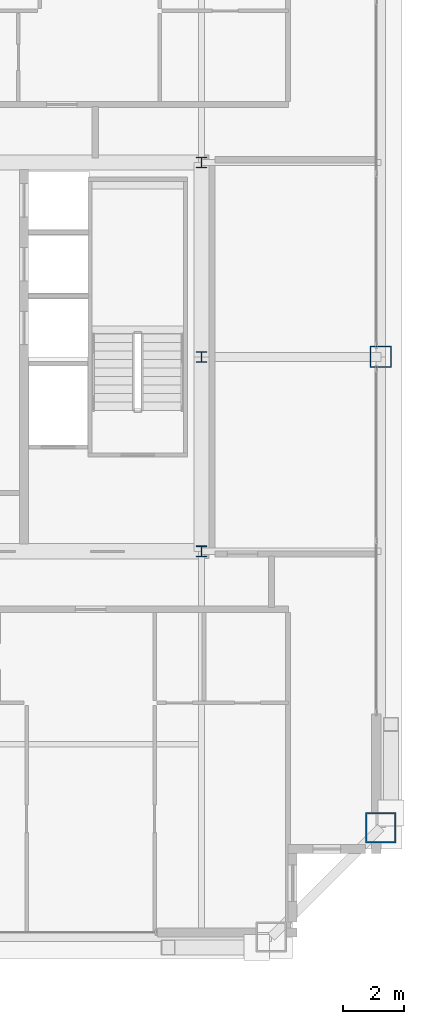
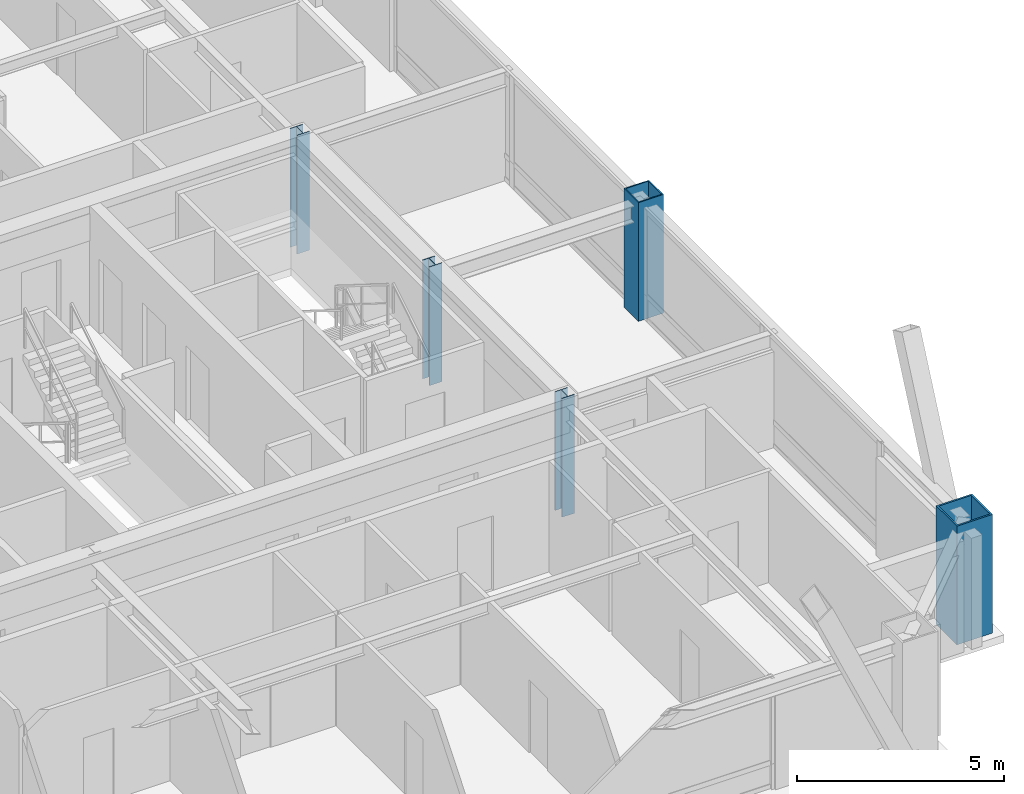
# One storey, part 2 of 35: 5 columns.
"""IFC4 building model written with IfcOpenShell, lengths in metres."""

from ifc_helpers import new_model, si_unit, direction, frame, origin, origin_2d, place, context, subcontext, project, spatial, hollow_rectangle, i_section, extrude, source, transform, mapped, material, material_profile, profile_set, type_object, element, save


model = new_model("IFC4")

# Units and contexts
model_context = context("Model", 3, precision=1e-05, world=origin(), true_north=direction((0.0, 1.0)))
body_context = subcontext(model_context, "Body", "Model", "MODEL_VIEW")
ifc_project = project(units=[si_unit("LENGTHUNIT", "METRE"), si_unit("AREAUNIT", "SQUARE_METRE"), si_unit("VOLUMEUNIT", "CUBIC_METRE"), si_unit("PLANEANGLEUNIT", "RADIAN"), si_unit("MASSUNIT", "GRAM", prefix="KILO"), si_unit("THERMODYNAMICTEMPERATUREUNIT", "KELVIN"), si_unit("POWERUNIT", "WATT")], contexts=[model_context])

# Site, building, storey
site_placement = place(None, origin())
site = spatial("IfcSite", under=ifc_project, at=site_placement, CompositionType="ELEMENT")
building_placement = place(site_placement, origin())
building = spatial("IfcBuilding", under=site, at=building_placement, Name="Yuzanri Waterfront Tower", CompositionType="ELEMENT")
storey_placement = place(building_placement, frame((0.0, 0.0, 299.60009765625)))
storey = spatial("IfcBuildingStorey", under=building, at=storey_placement, Name="L80", CompositionType="ELEMENT", Elevation=299.60009765625)

# Columns
ifc_material_1 = material(Name="Steel Q355B", Category="steel")
ifc_material_profile_1 = material_profile(ifc_material_1, hollow_rectangle(XDim=0.699951171875, YDim=0.699951171875, WallThickness=0.031982421875, at=origin_2d()), Name="RHS 700x700x32")
ifc_profile_set_1 = profile_set([ifc_material_profile_1], Name="Steel Q355B")
column_type_1 = type_object("IfcColumnType", Name="Frame Column Q355B RHS 700x700x32", PredefinedType="COLUMN", material=ifc_profile_set_1)
shared_shape_1 = source(origin(), body_context, "Body", "SweptSolid", [
    extrude(hollow_rectangle(XDim=0.699951171875, YDim=0.699951171875, WallThickness=0.031982421875, at=origin_2d()), origin(), (0.0, 0.0, 1.0), 3.5),
])
column_1_placement = place(storey_placement, frame((56.10009765625, 25.800048828125, 0.0), z_axis=(0.0, 0.0, 1.0), x_axis=(1.0, 0.0, 0.0)))
element("IfcColumn", 1, at=column_1_placement, inside=storey, type_object=column_type_1, Name="L80 Perimeter Frame Column E2", PredefinedType="COLUMN", context=body_context, shape_type="MappedRepresentation", body=[
    mapped(shared_shape_1, transform((0.0, 0.0, 0.0), scale=1.0)),
])
ifc_material_2 = material(Name="Steel Q355B", Category="steel")
ifc_material_profile_2 = material_profile(ifc_material_2, i_section(OverallWidth=0.35009765625, OverallDepth=0.35009765625, WebThickness=0.011962890625, FlangeThickness=0.01904296875, at=origin_2d()), Name="HW 350x350x12x19")
ifc_profile_set_2 = profile_set([ifc_material_profile_2], Name="Steel Q355B")
column_type_2 = type_object("IfcColumnType", Name="Core Post Q355B HW 350x350x12x19", PredefinedType="COLUMN", material=ifc_profile_set_2)
shared_shape_2 = source(origin(), body_context, "Body", "SweptSolid", [
    extrude(i_section(OverallWidth=0.35009765625, OverallDepth=0.35009765625, WebThickness=0.011962890625, FlangeThickness=0.01904296875, at=origin_2d()), origin(), (0.0, 0.0, 1.0), 3.5),
])
for number, where, z_axis, x_axis, name in (
    (2, (50.199951171875, 19.39990234375, 0.0), (0.0, 0.0, 1.0), (1.0, 0.0, 0.0), "L80 Core Boundary Column CP3"),
    (3, (50.199951171875, 25.800048828125, 0.0), (0.0, 0.0, 1.0), (1.0, 0.0, 0.0), "L80 Core Boundary Column CP5"),
    (4, (50.199951171875, 32.199951171875, 0.0), (0.0, 0.0, 1.0), (1.0, 0.0, 0.0), "L80 Core Boundary Column CP8"),
):
    element("IfcColumn", number, at=place(storey_placement, frame(where, z_axis=z_axis, x_axis=x_axis)), inside=storey, type_object=column_type_2, Name=name, PredefinedType="COLUMN", context=body_context, shape_type="MappedRepresentation", body=[
        mapped(shared_shape_2, transform((0.0, 0.0, 0.0), scale=1.0)),
    ])
ifc_material_3 = material(Name="Steel Q390GJC", Category="steel")
ifc_material_profile_3 = material_profile(ifc_material_3, hollow_rectangle(XDim=1.0, YDim=1.0, WallThickness=0.048095703125, at=origin_2d()), Name="RHS 1000x1000x48")
ifc_profile_set_3 = profile_set([ifc_material_profile_3], Name="Steel Q390GJC")
column_type_3 = type_object("IfcColumnType", Name="Mega Column Q390GJC RHS 1000x1000x48", PredefinedType="COLUMN", material=ifc_profile_set_3)
shared_shape_3 = source(origin(), body_context, "Body", "SweptSolid", [
    extrude(hollow_rectangle(XDim=1.0, YDim=1.0, WallThickness=0.048095703125, at=origin_2d()), origin(), (0.0, 0.0, 1.0), 3.5),
])
column_2_placement = place(storey_placement, frame((56.10009765625, 10.300048828125, 0.0), z_axis=(0.0, 0.0, 1.0), x_axis=(1.0, 0.0, 0.0)))
element("IfcColumn", 5, at=column_2_placement, inside=storey, type_object=column_type_3, Name="L80 Perimeter Mega Column E1", PredefinedType="COLUMN", context=body_context, shape_type="MappedRepresentation", body=[
    mapped(shared_shape_3, transform((0.0, 0.0, 0.0), scale=1.0)),
])

save(model, "model.ifc")
